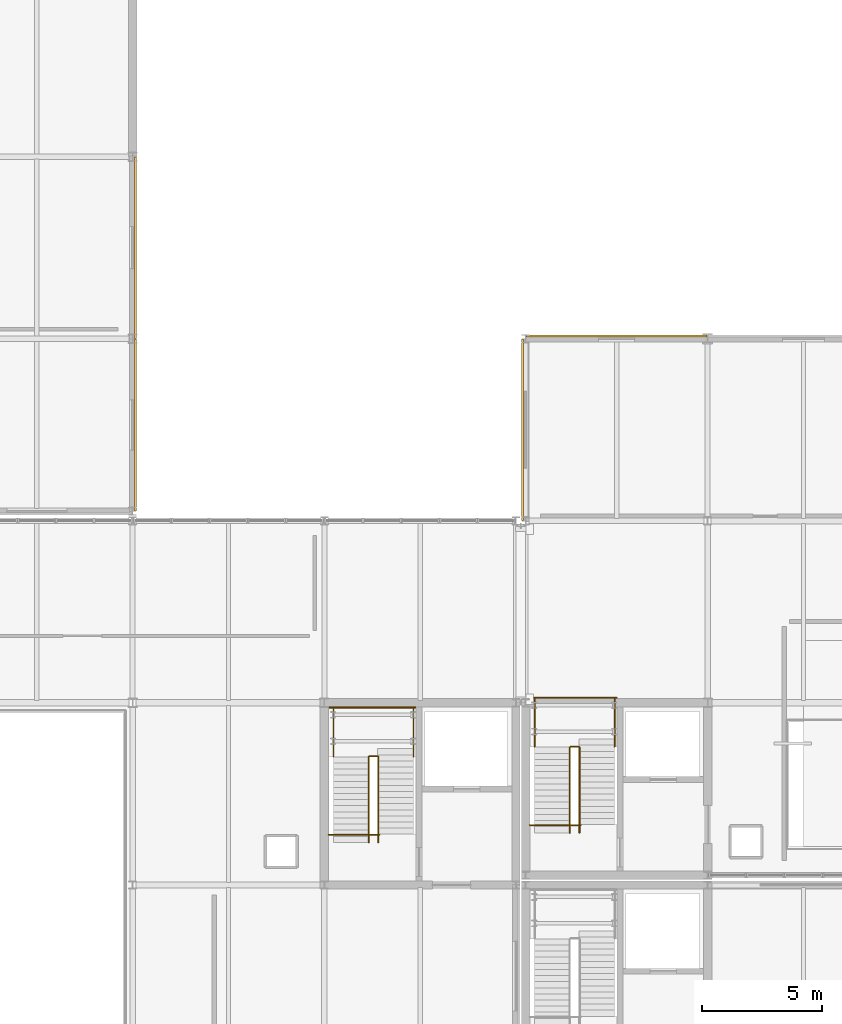
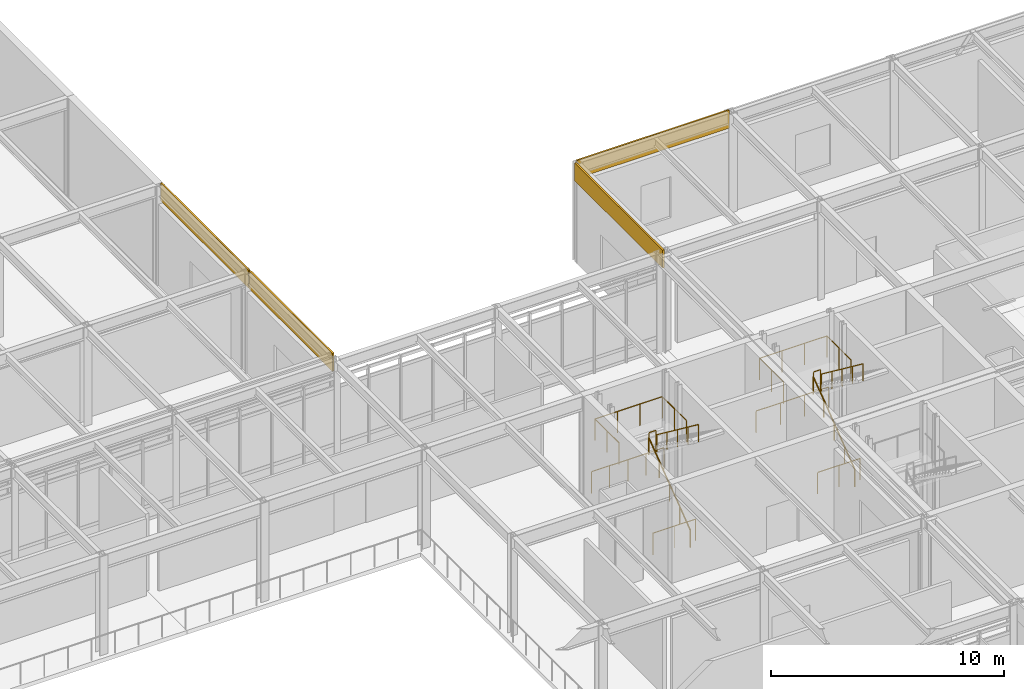
# One storey, part 91 of 94: 12 railings, 4 coverings.
"""IFC4 building model written with IfcOpenShell, lengths in metres."""

from ifc_helpers import new_model, si_unit, direction, frame, origin, origin_2d, place, context, subcontext, project, spatial, rectangle, circle, extrude, material, layer, layer_set, type_object, element, save


model = new_model("IFC4")

# Units and contexts
model_context = context("Model", 3, precision=1e-05, world=origin(), true_north=direction((0.0, 1.0)))
body_context = subcontext(model_context, "Body", "Model", "MODEL_VIEW")
ifc_project = project(units=[si_unit("LENGTHUNIT", "METRE"), si_unit("AREAUNIT", "SQUARE_METRE"), si_unit("VOLUMEUNIT", "CUBIC_METRE"), si_unit("PLANEANGLEUNIT", "RADIAN"), si_unit("MASSUNIT", "GRAM", prefix="KILO")], contexts=[model_context])

# Site, building, storey
site_placement = place(None, origin())
site = spatial("IfcSite", under=ifc_project, at=site_placement, CompositionType="ELEMENT")
building_placement = place(site_placement, origin())
building = spatial("IfcBuilding", under=site, at=building_placement, Name="Zulena Civic Courthouse", CompositionType="ELEMENT")
storey_placement = place(building_placement, frame((0.0, 0.0, 5.39990234375)))
storey = spatial("IfcBuildingStorey", under=building, at=storey_placement, Name="L01", CompositionType="ELEMENT", Elevation=5.39990234375)

# Railings
ifc_material_1 = material(Name="Brushed architectural steel ASTM A36", Category="steel")
railing_type_1 = type_object("IfcRailingType", Name="InteriorGuardrail_1150", PredefinedType="GUARDRAIL", material=ifc_material_1)
railing_1_placement = place(storey_placement, frame((124.60009765625, 38.2099609375, 0.0)))
element("IfcRailing", 1, at=railing_1_placement, inside=storey, type_object=railing_type_1, Name="gr:wellN:K3A:L00", PredefinedType="GUARDRAIL", context=body_context, shape_type="SweptSolid", body=[
    extrude(circle(Radius=0.02392578125, at=origin_2d()), frame((0.00390625, 0.0, 1.1259765625), z_axis=(1.0, 0.0, 0.0), x_axis=(0.0, 1.0, 0.0)), (0.0, 0.0, 1.0), 3.591796875),
    extrude(circle(Radius=0.02099609375, at=origin_2d()), origin(), (0.0, 0.0, 1.0), 1.097900390625),
    extrude(circle(Radius=0.02099609375, at=origin_2d()), frame((1.199951171875, 0.0, 0.0)), (0.0, 0.0, 1.0), 1.097900390625),
    extrude(circle(Radius=0.02099609375, at=origin_2d()), frame((2.39990234375, 0.0, 0.0)), (0.0, 0.0, 1.0), 1.097900390625),
    extrude(circle(Radius=0.02099609375, at=origin_2d()), frame((3.599853515625, 0.0, 0.0)), (0.0, 0.0, 1.0), 1.097900390625),
])
railing_2_placement = place(storey_placement, frame((124.580078125, 32.89990234375, 0.0)))
element("IfcRailing", 2, at=railing_2_placement, inside=storey, type_object=railing_type_1, Name="gr:wells:K3A:L01", PredefinedType="GUARDRAIL", context=body_context, shape_type="SweptSolid", body=[
    extrude(circle(Radius=0.02392578125, at=origin_2d()), frame((0.00390625, 0.0, 1.1259765625), z_axis=(1.0, 0.0, 0.0), x_axis=(0.0, 1.0, 0.0)), (0.0, 0.0, 1.0), 2.11181640625),
    extrude(circle(Radius=0.02099609375, at=origin_2d()), origin(), (0.0, 0.0, 1.0), 1.097900390625),
    extrude(circle(Radius=0.02099609375, at=origin_2d()), frame((1.06005859375, 0.0, 0.0)), (0.0, 0.0, 1.0), 1.097900390625),
    extrude(circle(Radius=0.02099609375, at=origin_2d()), frame((2.119873046875, 0.0, 0.0)), (0.0, 0.0, 1.0), 1.097900390625),
])
railing_3_placement = place(storey_placement, frame((124.780029296875, 36.149658203125, 2.7001953125)))
element("IfcRailing", 3, at=railing_3_placement, inside=storey, type_object=railing_type_1, Name="gr:lnd:K3A:L01", PredefinedType="GUARDRAIL", context=body_context, shape_type="SweptSolid", body=[
    extrude(circle(Radius=0.02392578125, at=origin_2d()), frame((0.0, 0.00390625, 1.1259765625), z_axis=(0.0, 1.0, 0.0), x_axis=(-1.0, 0.0, 0.0)), (0.0, 0.0, 1.0), 2.062255859375),
    extrude(circle(Radius=0.02392578125, at=origin_2d()), frame((0.00390625, 2.0703125, 1.1259765625), z_axis=(1.0, 0.0, 0.0), x_axis=(0.0, 1.0, 0.0)), (0.0, 0.0, 1.0), 3.33203125),
    extrude(circle(Radius=0.02392578125, at=origin_2d()), frame((3.340087890625, 2.06640625, 1.1259765625), z_axis=(0.0, -1.0, 0.0), x_axis=(1.0, 0.0, 0.0)), (0.0, 0.0, 1.0), 2.062255859375),
    extrude(circle(Radius=0.02099609375, at=origin_2d()), origin(), (0.0, 0.0, 1.0), 1.097900390625),
    extrude(circle(Radius=0.02099609375, at=origin_2d()), frame((0.0, 1.03515625, 0.0)), (0.0, 0.0, 1.0), 1.097900390625),
    extrude(circle(Radius=0.02099609375, at=origin_2d()), frame((0.0, 2.0703125, 0.0)), (0.0, 0.0, 1.0), 1.097900390625),
    extrude(circle(Radius=0.02099609375, at=origin_2d()), frame((1.11328125, 2.0703125, 0.0)), (0.0, 0.0, 1.0), 1.097900390625),
    extrude(circle(Radius=0.02099609375, at=origin_2d()), frame((2.226806640625, 2.0703125, 0.0)), (0.0, 0.0, 1.0), 1.097900390625),
    extrude(circle(Radius=0.02099609375, at=origin_2d()), frame((3.340087890625, 2.0703125, 0.0)), (0.0, 0.0, 1.0), 1.097900390625),
    extrude(circle(Radius=0.02099609375, at=origin_2d()), frame((3.340087890625, 1.03515625, 0.0)), (0.0, 0.0, 1.0), 1.097900390625),
    extrude(circle(Radius=0.02099609375, at=origin_2d()), frame((3.340087890625, 0.0, 0.0)), (0.0, 0.0, 1.0), 1.097900390625),
])
railing_4_placement = place(storey_placement, frame((126.280029296875, 36.169921875, 2.7001953125)))
element("IfcRailing", 4, at=railing_4_placement, inside=storey, type_object=railing_type_1, Name="gr:lndslot:K3A:L01", PredefinedType="GUARDRAIL", context=body_context, shape_type="SweptSolid", body=[
    extrude(circle(Radius=0.02392578125, at=origin_2d()), frame((0.00390625, 0.0, 1.1259765625), z_axis=(1.0, 0.0, 0.0), x_axis=(0.0, 1.0, 0.0)), (0.0, 0.0, 1.0), 0.33203125),
    extrude(circle(Radius=0.02099609375, at=origin_2d()), origin(), (0.0, 0.0, 1.0), 1.097900390625),
    extrude(circle(Radius=0.02099609375, at=origin_2d()), frame((0.340087890625, 0.0, 0.0)), (0.0, 0.0, 1.0), 1.097900390625),
])
railing_5_placement = place(storey_placement, frame((116.199951171875, 37.81005859375, 0.0)))
element("IfcRailing", 5, at=railing_5_placement, inside=storey, type_object=railing_type_1, Name="gr:wellN:K4B:L00", PredefinedType="GUARDRAIL", context=body_context, shape_type="SweptSolid", body=[
    extrude(circle(Radius=0.02392578125, at=origin_2d()), frame((0.00390625, 0.0, 1.1259765625), z_axis=(1.0, 0.0, 0.0), x_axis=(0.0, 1.0, 0.0)), (0.0, 0.0, 1.0), 3.592041015625),
    extrude(circle(Radius=0.02099609375, at=origin_2d()), origin(), (0.0, 0.0, 1.0), 1.097900390625),
    extrude(circle(Radius=0.02099609375, at=origin_2d()), frame((0.89990234375, 0.0, 0.0)), (0.0, 0.0, 1.0), 1.097900390625),
    extrude(circle(Radius=0.02099609375, at=origin_2d()), frame((1.800048828125, 0.0, 0.0)), (0.0, 0.0, 1.0), 1.097900390625),
    extrude(circle(Radius=0.02099609375, at=origin_2d()), frame((2.7001953125, 0.0, 0.0)), (0.0, 0.0, 1.0), 1.097900390625),
    extrude(circle(Radius=0.02099609375, at=origin_2d()), frame((3.60009765625, 0.0, 0.0)), (0.0, 0.0, 1.0), 1.097900390625),
])
railing_6_placement = place(storey_placement, frame((116.179931640625, 32.5, 0.0)))
element("IfcRailing", 6, at=railing_6_placement, inside=storey, type_object=railing_type_1, Name="gr:wells:K4B:L01", PredefinedType="GUARDRAIL", context=body_context, shape_type="SweptSolid", body=[
    extrude(circle(Radius=0.02392578125, at=origin_2d()), frame((0.00390625, 0.0, 1.1259765625), z_axis=(1.0, 0.0, 0.0), x_axis=(0.0, 1.0, 0.0)), (0.0, 0.0, 1.0), 2.112060546875),
    extrude(circle(Radius=0.02099609375, at=origin_2d()), origin(), (0.0, 0.0, 1.0), 1.097900390625),
    extrude(circle(Radius=0.02099609375, at=origin_2d()), frame((1.06005859375, 0.0, 0.0)), (0.0, 0.0, 1.0), 1.097900390625),
    extrude(circle(Radius=0.02099609375, at=origin_2d()), frame((2.1201171875, 0.0, 0.0)), (0.0, 0.0, 1.0), 1.097900390625),
])
railing_7_placement = place(storey_placement, frame((116.3798828125, 35.74951171875, 2.7001953125)))
element("IfcRailing", 7, at=railing_7_placement, inside=storey, type_object=railing_type_1, Name="gr:lnd:K4B:L01", PredefinedType="GUARDRAIL", context=body_context, shape_type="SweptSolid", body=[
    extrude(circle(Radius=0.02392578125, at=origin_2d()), frame((0.0, 0.00390625, 1.1259765625), z_axis=(0.0, 1.0, 0.0), x_axis=(-1.0, 0.0, 0.0)), (0.0, 0.0, 1.0), 2.0625),
    extrude(circle(Radius=0.02392578125, at=origin_2d()), frame((0.00390625, 2.070556640625, 1.1259765625), z_axis=(1.0, 0.0, 0.0), x_axis=(0.0, 1.0, 0.0)), (0.0, 0.0, 1.0), 3.33203125),
    extrude(circle(Radius=0.02392578125, at=origin_2d()), frame((3.340087890625, 2.066650390625, 1.1259765625), z_axis=(0.0, -1.0, 0.0), x_axis=(1.0, 0.0, 0.0)), (0.0, 0.0, 1.0), 2.0625),
    extrude(circle(Radius=0.02099609375, at=origin_2d()), origin(), (0.0, 0.0, 1.0), 1.097900390625),
    extrude(circle(Radius=0.02099609375, at=origin_2d()), frame((0.0, 1.03515625, 0.0)), (0.0, 0.0, 1.0), 1.097900390625),
    extrude(circle(Radius=0.02099609375, at=origin_2d()), frame((0.0, 2.070556640625, 0.0)), (0.0, 0.0, 1.0), 1.097900390625),
    extrude(circle(Radius=0.02099609375, at=origin_2d()), frame((1.11328125, 2.070556640625, 0.0)), (0.0, 0.0, 1.0), 1.097900390625),
    extrude(circle(Radius=0.02099609375, at=origin_2d()), frame((2.226806640625, 2.070556640625, 0.0)), (0.0, 0.0, 1.0), 1.097900390625),
    extrude(circle(Radius=0.02099609375, at=origin_2d()), frame((3.340087890625, 2.070556640625, 0.0)), (0.0, 0.0, 1.0), 1.097900390625),
    extrude(circle(Radius=0.02099609375, at=origin_2d()), frame((3.340087890625, 1.03515625, 0.0)), (0.0, 0.0, 1.0), 1.097900390625),
    extrude(circle(Radius=0.02099609375, at=origin_2d()), frame((3.340087890625, 0.0, 0.0)), (0.0, 0.0, 1.0), 1.097900390625),
])
railing_8_placement = place(storey_placement, frame((117.8798828125, 35.77001953125, 2.7001953125)))
element("IfcRailing", 8, at=railing_8_placement, inside=storey, type_object=railing_type_1, Name="gr:lndslot:K4B:L01", PredefinedType="GUARDRAIL", context=body_context, shape_type="SweptSolid", body=[
    extrude(circle(Radius=0.02392578125, at=origin_2d()), frame((0.00390625, 0.0, 1.1259765625), z_axis=(1.0, 0.0, 0.0), x_axis=(0.0, 1.0, 0.0)), (0.0, 0.0, 1.0), 0.33203125),
    extrude(circle(Radius=0.02099609375, at=origin_2d()), origin(), (0.0, 0.0, 1.0), 1.097900390625),
    extrude(circle(Radius=0.02099609375, at=origin_2d()), frame((0.340087890625, 0.0, 0.0)), (0.0, 0.0, 1.0), 1.097900390625),
])

# Coverings
ifc_material_2 = material(Name="White architectural precast concrete C40/50", Category="concrete")
ifc_layer = layer(ifc_material_2, 0.0849609375)
ifc_layer_set = layer_set([ifc_layer], Name="White architectural precast concrete C40/50")
covering_type = type_object("IfcCoveringType", Name="PrecastSpandrelCladding_85", PredefinedType="CLADDING", material=ifc_layer_set)
for number, where, z_axis, x_axis, name in (
    (9, (124.280029296875, 49.39990234375, 4.250244140625), (0.0, 0.0, 1.0), (0.0, 1.0, 0.0), "clad:sp:V3:L01:0:2"),
    (10, (128.199951171875, 53.320068359375, 4.250244140625), (0.0, 0.0, 1.0), (1.0, 0.0, 0.0), "clad:sp:V3:L01:1:0"),
    (11, (108.1201171875, 57.0, 4.250244140625), (0.0, 0.0, 1.0), (0.0, -1.0, 0.0), "clad:sp:V5:L01:4:7"),
):
    element("IfcCovering", number, at=place(storey_placement, frame(where, z_axis=z_axis, x_axis=x_axis)), inside=storey, type_object=covering_type, Name=name, PredefinedType="CLADDING", context=body_context, shape_type="SweptSolid", body=[
        extrude(rectangle(XDim=7.56005859375, YDim=0.0849609375, at=origin_2d()), origin(), (0.0, 0.0, 1.0), 0.93994140625),
    ])
covering_placement = place(storey_placement, frame((108.1201171875, 49.60009765625, 4.250244140625), z_axis=(0.0, 0.0, 1.0), x_axis=(0.0, -1.0, 0.0)))
element("IfcCovering", 12, at=covering_placement, inside=storey, type_object=covering_type, Name="clad:sp:V5:L01:4:8", PredefinedType="CLADDING", context=body_context, shape_type="SweptSolid", body=[
    extrude(rectangle(XDim=7.159912109375, YDim=0.0849609375, at=origin_2d()), origin(), (0.0, 0.0, 1.0), 0.93994140625),
])

# Railings
railing_type_2 = type_object("IfcRailingType", Name="StairHandrail_920", PredefinedType="HANDRAIL", material=ifc_material_1)
railing_9_placement = place(storey_placement, frame((126.25, 32.580078125, 0.0)))
element("IfcRailing", 13, at=railing_9_placement, inside=storey, type_object=railing_type_2, Name="hr:K3A:L01:1", PredefinedType="HANDRAIL", context=body_context, shape_type="SweptSolid", body=[
    extrude(circle(Radius=0.02392578125, at=origin_2d()), frame((0.0, 0.003173828125, 0.898193359375), z_axis=(0.0, 0.797525546601, 0.603285175119), x_axis=(-1.0, 0.0, 0.0)), (0.0, 0.0, 1.0), 4.4677734375),
    extrude(circle(Radius=0.02099609375, at=origin_2d()), origin(), (0.0, 0.0, 1.0), 0.867919921875),
    extrude(circle(Radius=0.02099609375, at=origin_2d()), frame((0.0, 0.892333984375, 0.675048828125)), (0.0, 0.0, 1.0), 0.867919921875),
    extrude(circle(Radius=0.02099609375, at=origin_2d()), frame((0.0, 1.78466796875, 1.35009765625)), (0.0, 0.0, 1.0), 0.867919921875),
    extrude(circle(Radius=0.02099609375, at=origin_2d()), frame((0.0, 2.67724609375, 2.025146484375)), (0.0, 0.0, 1.0), 0.867919921875),
    extrude(circle(Radius=0.02099609375, at=origin_2d()), frame((0.0, 3.569580078125, 2.7001953125)), (0.0, 0.0, 1.0), 0.867919921875),
])
railing_10_placement = place(storey_placement, frame((126.64990234375, 36.149658203125, 2.7001953125)))
element("IfcRailing", 14, at=railing_10_placement, inside=storey, type_object=railing_type_2, Name="hr:K3A:L01:2", PredefinedType="HANDRAIL", context=body_context, shape_type="SweptSolid", body=[
    extrude(circle(Radius=0.02392578125, at=origin_2d()), frame((0.0, -0.003173828125, 0.898193359375), z_axis=(0.0, -0.797551790998, 0.603250479218), x_axis=(1.0, 0.0, 0.0)), (0.0, 0.0, 1.0), 4.4677734375),
    extrude(circle(Radius=0.02099609375, at=origin_2d()), origin(), (0.0, 0.0, 1.0), 0.867919921875),
    extrude(circle(Radius=0.02099609375, at=origin_2d()), frame((0.0, -0.892333984375, 0.675048828125)), (0.0, 0.0, 1.0), 0.867919921875),
    extrude(circle(Radius=0.02099609375, at=origin_2d()), frame((0.0, -1.78466796875, 1.35009765625)), (0.0, 0.0, 1.0), 0.867919921875),
    extrude(circle(Radius=0.02099609375, at=origin_2d()), frame((0.0, -2.67724609375, 2.02490234375)), (0.0, 0.0, 1.0), 0.867919921875),
    extrude(circle(Radius=0.02099609375, at=origin_2d()), frame((0.0, -3.569580078125, 2.699951171875)), (0.0, 0.0, 1.0), 0.867919921875),
])
railing_11_placement = place(storey_placement, frame((117.85009765625, 32.179931640625, 0.0)))
element("IfcRailing", 15, at=railing_11_placement, inside=storey, type_object=railing_type_2, Name="hr:K4B:L01:1", PredefinedType="HANDRAIL", context=body_context, shape_type="SweptSolid", body=[
    extrude(circle(Radius=0.02392578125, at=origin_2d()), frame((0.0, 0.003173828125, 0.898193359375), z_axis=(0.0, 0.797525546601, 0.603285175119), x_axis=(-1.0, 0.0, 0.0)), (0.0, 0.0, 1.0), 4.4677734375),
    extrude(circle(Radius=0.02099609375, at=origin_2d()), origin(), (0.0, 0.0, 1.0), 0.867919921875),
    extrude(circle(Radius=0.02099609375, at=origin_2d()), frame((0.0, 0.892333984375, 0.675048828125)), (0.0, 0.0, 1.0), 0.867919921875),
    extrude(circle(Radius=0.02099609375, at=origin_2d()), frame((0.0, 1.78466796875, 1.35009765625)), (0.0, 0.0, 1.0), 0.867919921875),
    extrude(circle(Radius=0.02099609375, at=origin_2d()), frame((0.0, 2.67724609375, 2.025146484375)), (0.0, 0.0, 1.0), 0.867919921875),
    extrude(circle(Radius=0.02099609375, at=origin_2d()), frame((0.0, 3.569580078125, 2.7001953125)), (0.0, 0.0, 1.0), 0.867919921875),
])
railing_12_placement = place(storey_placement, frame((118.25, 35.74951171875, 2.7001953125)))
element("IfcRailing", 16, at=railing_12_placement, inside=storey, type_object=railing_type_2, Name="hr:K4B:L01:2", PredefinedType="HANDRAIL", context=body_context, shape_type="SweptSolid", body=[
    extrude(circle(Radius=0.02392578125, at=origin_2d()), frame((0.0, -0.003173828125, 0.898193359375), z_axis=(0.0, -0.797551790998, 0.603250479218), x_axis=(1.0, 0.0, 0.0)), (0.0, 0.0, 1.0), 4.4677734375),
    extrude(circle(Radius=0.02099609375, at=origin_2d()), origin(), (0.0, 0.0, 1.0), 0.867919921875),
    extrude(circle(Radius=0.02099609375, at=origin_2d()), frame((0.0, -0.892333984375, 0.675048828125)), (0.0, 0.0, 1.0), 0.867919921875),
    extrude(circle(Radius=0.02099609375, at=origin_2d()), frame((0.0, -1.78466796875, 1.35009765625)), (0.0, 0.0, 1.0), 0.867919921875),
    extrude(circle(Radius=0.02099609375, at=origin_2d()), frame((0.0, -2.67724609375, 2.02490234375)), (0.0, 0.0, 1.0), 0.867919921875),
    extrude(circle(Radius=0.02099609375, at=origin_2d()), frame((0.0, -3.569580078125, 2.699951171875)), (0.0, 0.0, 1.0), 0.867919921875),
])

save(model, "model.ifc")
